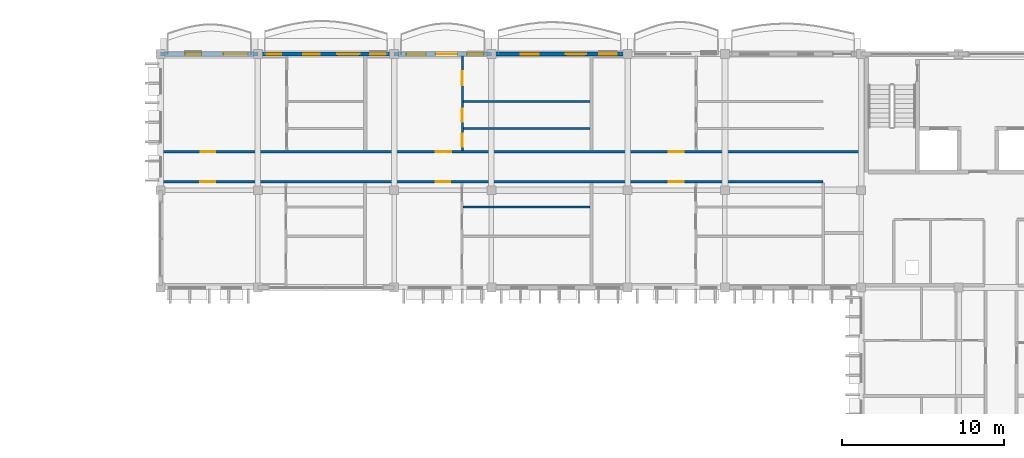
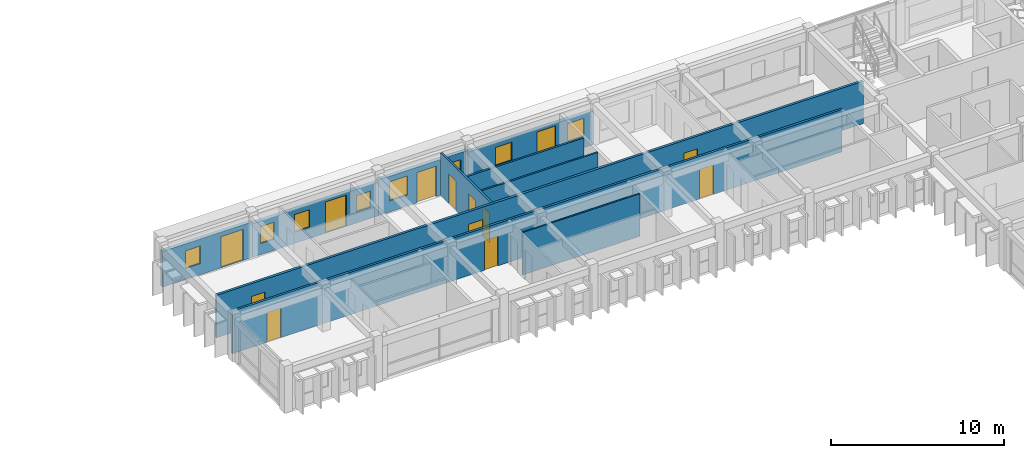
# One storey, part 15 of 31: 13 doors, 10 walls, 8 windows, 21 openings.
"""IFC4 building model written with IfcOpenShell, lengths in metres."""

from ifc_helpers import new_model, si_unit, direction, frame, frame_2d, origin, place, context, subcontext, project, spatial, rectangle, extrude, material, layer, layer_set, type_object, element, fill, save


model = new_model("IFC4")

# Units and contexts
model_context = context("Model", 3, precision=1e-05, world=origin(), true_north=direction((0.0, 1.0)))
body_context = subcontext(model_context, "Body", "Model", "MODEL_VIEW")
ifc_project = project(units=[si_unit("LENGTHUNIT", "METRE"), si_unit("AREAUNIT", "SQUARE_METRE"), si_unit("VOLUMEUNIT", "CUBIC_METRE"), si_unit("PLANEANGLEUNIT", "RADIAN"), si_unit("MASSUNIT", "GRAM", prefix="KILO"), si_unit("THERMODYNAMICTEMPERATUREUNIT", "KELVIN")], contexts=[model_context])

# Site, building, storey
site_placement = place(None, origin())
site = spatial("IfcSite", under=ifc_project, at=site_placement, CompositionType="ELEMENT")
building_placement = place(site_placement, origin())
building = spatial("IfcBuilding", under=site, at=building_placement, Name="Thalorik Housing Commons", CompositionType="ELEMENT")
storey_placement = place(building_placement, frame((0.0, 0.0, 37.800048828125)))
storey = spatial("IfcBuildingStorey", under=building, at=storey_placement, Name="L11", CompositionType="ELEMENT", Elevation=37.800048828125)

# Wall, openings, doors
ifc_material_1 = material(Name="Masonry fire-rated corridor wall", Category="masonry")
ifc_layer_1 = layer(ifc_material_1, 0.14990234375, Name="Masonry fire-rated corridor wall", Category="masonry")
ifc_layer_set_1 = layer_set([ifc_layer_1], Name="Masonry fire-rated corridor wall")
wall_type_1 = type_object("IfcWallType", Name="ARC-WAL-CORR-150", PredefinedType="PARTITIONING", material=ifc_layer_set_1)
wall_1_placement = place(storey_placement, frame((109.324462890625, 115.719970703125, 0.0), z_axis=(0.0, 0.0, 1.0), x_axis=(1.0, 0.0, 0.0)))
wall_1 = element("IfcWall", 1, at=wall_1_placement, inside=storey, type_object=wall_type_1, Name="L11 Block B N Corridor Wall 1", PredefinedType="PARTITIONING", context=body_context, shape_type="SweptSolid", body=[
    extrude(rectangle(XDim=40.7255859375, YDim=0.14990234375, at=frame_2d((20.36279296875, 0.0))), origin(), (0.0, 0.0, 1.0), 3.0),
])
opening_1_placement = place(wall_1_placement, frame((2.322021484375, 0.0, 0.0)))
opening_1 = element("IfcOpeningElement", 2, at=opening_1_placement, cuts=wall_1, Name="Opening ID-1496", PredefinedType="OPENING", context=body_context, shape_type="SweptSolid", body=[
    extrude(rectangle(XDim=0.919921875, YDim=2.10009765625, at=frame_2d((0.4599609375, 1.050048828125))), frame((0.0, 0.0849609375, 0.0), z_axis=(0.0, -1.0, 0.0), x_axis=(1.0, 0.0, 0.0)), (0.0, 0.0, 1.0), 0.169921875),
])
opening_2_placement = place(wall_1_placement, frame((16.831787109375, 0.0, 0.0)))
opening_2 = element("IfcOpeningElement", 3, at=opening_2_placement, cuts=wall_1, Name="Opening ID-1497", PredefinedType="OPENING", context=body_context, shape_type="SweptSolid", body=[
    extrude(rectangle(XDim=0.919921875, YDim=2.10009765625, at=frame_2d((0.4599609375, 1.050048828125))), frame((0.0, 0.0849609375, 0.0), z_axis=(0.0, -1.0, 0.0), x_axis=(1.0, 0.0, 0.0)), (0.0, 0.0, 1.0), 0.169921875),
])
opening_3_placement = place(wall_1_placement, frame((31.20849609375, 0.0, 0.0)))
opening_3 = element("IfcOpeningElement", 4, at=opening_3_placement, cuts=wall_1, Name="Opening ID-1498", PredefinedType="OPENING", context=body_context, shape_type="SweptSolid", body=[
    extrude(rectangle(XDim=0.919921875, YDim=2.10009765625, at=frame_2d((0.4599609375, 1.050048828125))), frame((0.0, 0.0849609375, 0.0), z_axis=(0.0, -1.0, 0.0), x_axis=(1.0, 0.0, 0.0)), (0.0, 0.0, 1.0), 0.169921875),
])
ifc_material_2 = material(Name="Solid core hardwood timber", Category="wood")
door_type_1 = type_object("IfcDoorType", Name="ARC-DR-FD30-920", OperationType="NOTDEFINED", PredefinedType="DOOR", material=ifc_material_2)
door_1_placement = place(opening_1_placement, origin())
door_1 = element("IfcDoor", 5, at=door_1_placement, inside=storey, type_object=door_type_1, Name="L11 Flat BN-1A Entrance Door", OperationType="SINGLE_SWING_LEFT", OverallHeight=2.10009765625, OverallWidth=0.919921875, PredefinedType="DOOR", context=body_context, shape_type="SweptSolid", body=[
    extrude(rectangle(XDim=0.919921875, YDim=2.10009765625, at=frame_2d((0.4599609375, 1.050048828125))), frame((0.0, 0.02490234375, 0.0), z_axis=(0.0, -1.0, 0.0), x_axis=(1.0, 0.0, 0.0)), (0.0, 0.0, 1.0), 0.050048828125),
])
fill(opening_1, door_1)
door_2_placement = place(opening_2_placement, origin())
door_2 = element("IfcDoor", 6, at=door_2_placement, inside=storey, type_object=door_type_1, Name="L11 Flat BN-2A Entrance Door", OperationType="SINGLE_SWING_RIGHT", OverallHeight=2.10009765625, OverallWidth=0.919921875, PredefinedType="DOOR", context=body_context, shape_type="SweptSolid", body=[
    extrude(rectangle(XDim=0.919921875, YDim=2.10009765625, at=frame_2d((0.4599609375, 1.050048828125))), frame((0.0, 0.02490234375, 0.0), z_axis=(0.0, -1.0, 0.0), x_axis=(1.0, 0.0, 0.0)), (0.0, 0.0, 1.0), 0.050048828125),
])
fill(opening_2, door_2)
door_3_placement = place(opening_3_placement, origin())
door_3 = element("IfcDoor", 7, at=door_3_placement, inside=storey, type_object=door_type_1, Name="L11 Flat BN-3A Entrance Door", OperationType="SINGLE_SWING_LEFT", OverallHeight=2.10009765625, OverallWidth=0.919921875, PredefinedType="DOOR", context=body_context, shape_type="SweptSolid", body=[
    extrude(rectangle(XDim=0.919921875, YDim=2.10009765625, at=frame_2d((0.4599609375, 1.050048828125))), frame((0.0, 0.02490234375, 0.0), z_axis=(0.0, -1.0, 0.0), x_axis=(1.0, 0.0, 0.0)), (0.0, 0.0, 1.0), 0.050048828125),
])
fill(opening_3, door_3)

ifc_layer_2 = layer(ifc_material_1, 0.1650390625, Name="Masonry fire-rated corridor wall", Category="masonry")
ifc_layer_set_2 = layer_set([ifc_layer_2], Name="Masonry fire-rated corridor wall")
wall_type_2 = type_object("IfcWallType", Name="ARC-WAL-CORR-165", PredefinedType="PARTITIONING", material=ifc_layer_set_2)
wall_2_placement = place(storey_placement, frame((109.324462890625, 117.580078125, 0.0), z_axis=(0.0, 0.0, 1.0), x_axis=(1.0, 0.0, 0.0)))
wall_2 = element("IfcWall", 8, at=wall_2_placement, inside=storey, type_object=wall_type_2, Name="L11 Block B N Corridor Wall 2", PredefinedType="PARTITIONING", context=body_context, shape_type="SweptSolid", body=[
    extrude(rectangle(XDim=43.215576171875, YDim=0.1650390625, at=frame_2d((21.60791015625, 0.0))), origin(), (0.0, 0.0, 1.0), 3.0),
])
opening_4_placement = place(wall_2_placement, frame((2.338623046875, 0.0, 0.0)))
opening_4 = element("IfcOpeningElement", 9, at=opening_4_placement, cuts=wall_2, Name="Opening ID-1499", PredefinedType="OPENING", context=body_context, shape_type="SweptSolid", body=[
    extrude(rectangle(XDim=0.919921875, YDim=2.10009765625, at=frame_2d((0.4599609375, 1.050048828125))), frame((0.0, 0.092529296875, 0.0), z_axis=(0.0, -1.0, 0.0), x_axis=(1.0, 0.0, 0.0)), (0.0, 0.0, 1.0), 0.18505859375),
])
opening_5_placement = place(wall_2_placement, frame((16.8505859375, 0.0, 0.0)))
opening_5 = element("IfcOpeningElement", 10, at=opening_5_placement, cuts=wall_2, Name="Opening ID-1500", PredefinedType="OPENING", context=body_context, shape_type="SweptSolid", body=[
    extrude(rectangle(XDim=0.9599609375, YDim=2.1201171875, at=frame_2d((0.47998046875, 1.06005859375))), frame((0.0, 0.092529296875, 0.0), z_axis=(0.0, -1.0, 0.0), x_axis=(1.0, 0.0, 0.0)), (0.0, 0.0, 1.0), 0.18505859375),
])
opening_6_placement = place(wall_2_placement, frame((31.2216796875, 0.0, 0.0)))
opening_6 = element("IfcOpeningElement", 11, at=opening_6_placement, cuts=wall_2, Name="Opening ID-1501", PredefinedType="OPENING", context=body_context, shape_type="SweptSolid", body=[
    extrude(rectangle(XDim=0.919921875, YDim=2.10009765625, at=frame_2d((0.4599609375, 1.050048828125))), frame((0.0, 0.092529296875, 0.0), z_axis=(0.0, -1.0, 0.0), x_axis=(1.0, 0.0, 0.0)), (0.0, 0.0, 1.0), 0.18505859375),
])
door_4_placement = place(opening_4_placement, origin())
door_4 = element("IfcDoor", 12, at=door_4_placement, inside=storey, type_object=door_type_1, Name="L11 Flat BN-1B Entrance Door", OperationType="SINGLE_SWING_RIGHT", OverallHeight=2.10009765625, OverallWidth=0.919921875, PredefinedType="DOOR", context=body_context, shape_type="SweptSolid", body=[
    extrude(rectangle(XDim=0.919921875, YDim=2.10009765625, at=frame_2d((0.4599609375, 1.050048828125))), frame((0.0, 0.02490234375, 0.0), z_axis=(0.0, -1.0, 0.0), x_axis=(1.0, 0.0, 0.0)), (0.0, 0.0, 1.0), 0.050048828125),
])
fill(opening_4, door_4)
door_5_placement = place(opening_6_placement, origin())
door_5 = element("IfcDoor", 13, at=door_5_placement, inside=storey, type_object=door_type_1, Name="L11 Flat BN-3B Entrance Door", OperationType="SINGLE_SWING_RIGHT", OverallHeight=2.10009765625, OverallWidth=0.919921875, PredefinedType="DOOR", context=body_context, shape_type="SweptSolid", body=[
    extrude(rectangle(XDim=0.919921875, YDim=2.10009765625, at=frame_2d((0.4599609375, 1.050048828125))), frame((0.0, 0.02490234375, 0.0), z_axis=(0.0, -1.0, 0.0), x_axis=(1.0, 0.0, 0.0)), (0.0, 0.0, 1.0), 0.050048828125),
])
fill(opening_6, door_5)
door_type_2 = type_object("IfcDoorType", Name="ARC-DR-FD30-960", OperationType="NOTDEFINED", PredefinedType="DOOR", material=ifc_material_2)
door_6_placement = place(opening_5_placement, origin())
door_6 = element("IfcDoor", 14, at=door_6_placement, inside=storey, type_object=door_type_2, Name="L11 Flat BN-2B Entrance Door", OperationType="SINGLE_SWING_LEFT", OverallHeight=2.1201171875, OverallWidth=0.9599609375, PredefinedType="DOOR", context=body_context, shape_type="SweptSolid", body=[
    extrude(rectangle(XDim=0.9599609375, YDim=2.1201171875, at=frame_2d((0.47998046875, 1.06005859375))), frame((0.0, 0.02490234375, 0.0), z_axis=(0.0, -1.0, 0.0), x_axis=(1.0, 0.0, 0.0)), (0.0, 0.0, 1.0), 0.050048828125),
])
fill(opening_5, door_6)

# Wall, openings, door, windows
ifc_material_3 = material(Name="White precast concrete C40/50", Category="concrete")
ifc_layer_3 = layer(ifc_material_3, 0.2451171875, Name="White precast concrete C40/50", Category="concrete")
ifc_layer_set_3 = layer_set([ifc_layer_3], Name="White precast concrete C40/50")
wall_type_3 = type_object("IfcWallType", Name="ARC-WAL-EXT-245", PredefinedType="STANDARD", material=ifc_layer_set_3)
wall_3_placement = place(storey_placement, frame((138.0, 123.60009765625, 0.0), z_axis=(0.0, 0.0, 1.0), x_axis=(-1.0, 0.0, 0.0)))
wall_3 = element("IfcWall", 15, at=wall_3_placement, inside=storey, type_object=wall_type_3, Name="L11 Exterior Wall WAL-EXT-L11-B-0775", PredefinedType="STANDARD", context=body_context, shape_type="SweptSolid", body=[
    extrude(rectangle(XDim=8.39990234375, YDim=0.2451171875, at=frame_2d((4.199951171875, 0.0))), origin(), (0.0, 0.0, 1.0), 2.375),
])
opening_7_placement = place(wall_3_placement, frame((2.56005859375, 0.0, 0.0)))
opening_7 = element("IfcOpeningElement", 16, at=opening_7_placement, cuts=wall_3, Name="Opening ED-0265", PredefinedType="OPENING", context=body_context, shape_type="SweptSolid", body=[
    extrude(rectangle(XDim=1.25, YDim=2.199951171875, at=frame_2d((0.625, 1.10009765625))), frame((0.0, 0.132568359375, 0.0), z_axis=(0.0, -1.0, 0.0), x_axis=(1.0, 0.0, 0.0)), (0.0, 0.0, 1.0), 0.26513671875),
])
opening_8_placement = place(wall_3_placement, frame((0.659912109375, 0.0, 0.780029296875)))
opening_8 = element("IfcOpeningElement", 17, at=opening_8_placement, cuts=wall_3, Name="Opening W-03", PredefinedType="OPENING", context=body_context, shape_type="SweptSolid", body=[
    extrude(rectangle(XDim=1.10009765625, YDim=1.300048828125, at=frame_2d((0.550048828125, 0.64990234375))), frame((0.0, 0.132568359375, 0.0), z_axis=(0.0, -1.0, 0.0), x_axis=(1.0, 0.0, 0.0)), (0.0, 0.0, 1.0), 0.26513671875),
])
opening_9_placement = place(wall_3_placement, frame((5.485107421875, 0.0, 0.780029296875)))
opening_9 = element("IfcOpeningElement", 18, at=opening_9_placement, cuts=wall_3, Name="Opening W-03", PredefinedType="OPENING", context=body_context, shape_type="SweptSolid", body=[
    extrude(rectangle(XDim=1.10009765625, YDim=1.300048828125, at=frame_2d((0.550048828125, 0.64990234375))), frame((0.0, 0.132568359375, 0.0), z_axis=(0.0, -1.0, 0.0), x_axis=(1.0, 0.0, 0.0)), (0.0, 0.0, 1.0), 0.26513671875),
])
ifc_material_4 = material(Name="Anodised aluminium and laminated safety glass", Category="aluminium")
door_type_3 = type_object("IfcDoorType", Name="ARC-DR-BAL-1250", OperationType="NOTDEFINED", PredefinedType="DOOR", material=ifc_material_4)
door_7_placement = place(opening_7_placement, frame((1.25, 0.0, 0.0), z_axis=(0.0, 0.0, 1.0), x_axis=(-1.0, 0.0, 0.0)))
door_7 = element("IfcDoor", 19, at=door_7_placement, inside=storey, type_object=door_type_3, Name="L11 Block B Balcony Glazed Door", OperationType="SINGLE_SWING_RIGHT", OverallHeight=2.199951171875, OverallWidth=1.25, PredefinedType="DOOR", context=body_context, shape_type="SweptSolid", body=[
    extrude(rectangle(XDim=1.25, YDim=2.199951171875, at=frame_2d((0.625, 1.10009765625))), frame((0.0, 0.02490234375, 0.0), z_axis=(0.0, -1.0, 0.0), x_axis=(1.0, 0.0, 0.0)), (0.0, 0.0, 1.0), 0.050048828125),
])
fill(opening_7, door_7)
ifc_material_5 = material(Name="Anodised aluminium and solar-control low-E glass", Category="aluminium")
window_type_1 = type_object("IfcWindowType", Name="ARC-WIN-03", PartitioningType="SINGLE_PANEL", PredefinedType="WINDOW", material=ifc_material_5)
window_1_placement = place(opening_8_placement, origin())
window_1 = element("IfcWindow", 20, at=window_1_placement, inside=storey, type_object=window_type_1, Name="L11 Facade Window 1427", OverallHeight=1.300048828125, OverallWidth=1.10009765625, PartitioningType="SINGLE_PANEL", PredefinedType="WINDOW", context=body_context, shape_type="SweptSolid", body=[
    extrude(rectangle(XDim=1.10009765625, YDim=1.300048828125, at=frame_2d((0.550048828125, 0.64990234375))), frame((0.0, 0.030029296875, 0.0), z_axis=(0.0, -1.0, 0.0), x_axis=(1.0, 0.0, 0.0)), (0.0, 0.0, 1.0), 0.06005859375),
])
fill(opening_8, window_1)
window_2_placement = place(opening_9_placement, origin())
window_2 = element("IfcWindow", 21, at=window_2_placement, inside=storey, type_object=window_type_1, Name="L11 Facade Window 1428", OverallHeight=1.300048828125, OverallWidth=1.10009765625, PartitioningType="SINGLE_PANEL", PredefinedType="WINDOW", context=body_context, shape_type="SweptSolid", body=[
    extrude(rectangle(XDim=1.10009765625, YDim=1.300048828125, at=frame_2d((0.550048828125, 0.64990234375))), frame((0.0, 0.030029296875, 0.0), z_axis=(0.0, -1.0, 0.0), x_axis=(1.0, 0.0, 0.0)), (0.0, 0.0, 1.0), 0.06005859375),
])
fill(opening_9, window_2)

wall_4_placement = place(storey_placement, frame((129.60009765625, 123.60009765625, 0.0), z_axis=(0.0, 0.0, 1.0), x_axis=(-1.0, 0.0, 0.0)))
wall_4 = element("IfcWall", 22, at=wall_4_placement, inside=storey, type_object=wall_type_3, Name="L11 Exterior Wall WAL-EXT-L11-B-0776", PredefinedType="STANDARD", context=body_context, shape_type="SweptSolid", body=[
    extrude(rectangle(XDim=6.0, YDim=0.2451171875, at=frame_2d((3.0, 0.0))), origin(), (0.0, 0.0, 1.0), 2.52490234375),
])
opening_10_placement = place(wall_4_placement, frame((2.119140625, 0.0, 0.0)))
opening_10 = element("IfcOpeningElement", 23, at=opening_10_placement, cuts=wall_4, Name="Opening ED-0266", PredefinedType="OPENING", context=body_context, shape_type="SweptSolid", body=[
    extrude(rectangle(XDim=1.300048828125, YDim=2.14990234375, at=frame_2d((0.64990234375, 1.074951171875))), frame((0.0, 0.132568359375, 0.0), z_axis=(0.0, -1.0, 0.0), x_axis=(1.0, 0.0, 0.0)), (0.0, 0.0, 1.0), 0.26513671875),
])
opening_11_placement = place(wall_4_placement, frame((0.489501953125, 0.0, 0.780029296875)))
opening_11 = element("IfcOpeningElement", 24, at=opening_11_placement, cuts=wall_4, Name="Opening W-02", PredefinedType="OPENING", context=body_context, shape_type="SweptSolid", body=[
    extrude(rectangle(XDim=1.0, YDim=1.25, at=frame_2d((0.5, 0.625))), frame((0.0, 0.132568359375, 0.0), z_axis=(0.0, -1.0, 0.0), x_axis=(1.0, 0.0, 0.0)), (0.0, 0.0, 1.0), 0.26513671875),
])
opening_12_placement = place(wall_4_placement, frame((4.03955078125, 0.0, 0.780029296875)))
opening_12 = element("IfcOpeningElement", 25, at=opening_12_placement, cuts=wall_4, Name="Opening W-04", PredefinedType="OPENING", context=body_context, shape_type="SweptSolid", body=[
    extrude(rectangle(XDim=1.199951171875, YDim=1.35009765625, at=frame_2d((0.60009765625, 0.675048828125))), frame((0.0, 0.132568359375, 0.0), z_axis=(0.0, -1.0, 0.0), x_axis=(1.0, 0.0, 0.0)), (0.0, 0.0, 1.0), 0.26513671875),
])
door_type_4 = type_object("IfcDoorType", Name="ARC-DR-BAL-1300", OperationType="NOTDEFINED", PredefinedType="DOOR", material=ifc_material_4)
door_8_placement = place(opening_10_placement, frame((1.300048828125, 0.0, 0.0), z_axis=(0.0, 0.0, 1.0), x_axis=(-1.0, 0.0, 0.0)))
door_8 = element("IfcDoor", 26, at=door_8_placement, inside=storey, type_object=door_type_4, Name="L11 Block B Balcony Glazed Door", OperationType="SINGLE_SWING_LEFT", OverallHeight=2.14990234375, OverallWidth=1.300048828125, PredefinedType="DOOR", context=body_context, shape_type="SweptSolid", body=[
    extrude(rectangle(XDim=1.300048828125, YDim=2.14990234375, at=frame_2d((0.64990234375, 1.074951171875))), frame((0.0, 0.02490234375, 0.0), z_axis=(0.0, -1.0, 0.0), x_axis=(1.0, 0.0, 0.0)), (0.0, 0.0, 1.0), 0.050048828125),
])
fill(opening_10, door_8)
window_type_2 = type_object("IfcWindowType", Name="ARC-WIN-02", PartitioningType="SINGLE_PANEL", PredefinedType="WINDOW", material=ifc_material_5)
window_3_placement = place(opening_11_placement, origin())
window_3 = element("IfcWindow", 27, at=window_3_placement, inside=storey, type_object=window_type_2, Name="L11 Facade Window 1429", OverallHeight=1.25, OverallWidth=1.0, PartitioningType="SINGLE_PANEL", PredefinedType="WINDOW", context=body_context, shape_type="SweptSolid", body=[
    extrude(rectangle(XDim=1.0, YDim=1.25, at=frame_2d((0.5, 0.625))), frame((0.0, 0.030029296875, 0.0), z_axis=(0.0, -1.0, 0.0), x_axis=(1.0, 0.0, 0.0)), (0.0, 0.0, 1.0), 0.06005859375),
])
fill(opening_11, window_3)
window_type_3 = type_object("IfcWindowType", Name="ARC-WIN-04", PartitioningType="SINGLE_PANEL", PredefinedType="WINDOW", material=ifc_material_5)
window_4_placement = place(opening_12_placement, origin())
window_4 = element("IfcWindow", 28, at=window_4_placement, inside=storey, type_object=window_type_3, Name="L11 Facade Window 1430", OverallHeight=1.35009765625, OverallWidth=1.199951171875, PartitioningType="SINGLE_PANEL", PredefinedType="WINDOW", context=body_context, shape_type="SweptSolid", body=[
    extrude(rectangle(XDim=1.199951171875, YDim=1.35009765625, at=frame_2d((0.60009765625, 0.675048828125))), frame((0.0, 0.030029296875, 0.0), z_axis=(0.0, -1.0, 0.0), x_axis=(1.0, 0.0, 0.0)), (0.0, 0.0, 1.0), 0.06005859375),
])
fill(opening_12, window_4)

wall_5_placement = place(storey_placement, frame((123.60009765625, 123.60009765625, 0.0), z_axis=(0.0, 0.0, 1.0), x_axis=(-1.0, 0.0, 0.0)))
wall_5 = element("IfcWall", 29, at=wall_5_placement, inside=storey, type_object=wall_type_3, Name="L11 Exterior Wall WAL-EXT-L11-B-0777", PredefinedType="STANDARD", context=body_context, shape_type="SweptSolid", body=[
    extrude(rectangle(XDim=8.400146484375, YDim=0.2451171875, at=frame_2d((4.2001953125, 0.0))), origin(), (0.0, 0.0, 1.0), 2.375),
])
opening_13_placement = place(wall_5_placement, frame((2.1201171875, 0.0, 0.0)))
opening_13 = element("IfcOpeningElement", 30, at=opening_13_placement, cuts=wall_5, Name="Opening ED-0267", PredefinedType="OPENING", context=body_context, shape_type="SweptSolid", body=[
    extrude(rectangle(XDim=1.39990234375, YDim=2.199951171875, at=frame_2d((0.699951171875, 1.10009765625))), frame((0.0, 0.132568359375, 0.0), z_axis=(0.0, -1.0, 0.0), x_axis=(1.0, 0.0, 0.0)), (0.0, 0.0, 1.0), 0.26513671875),
])
opening_14_placement = place(wall_5_placement, frame((0.514892578125, 0.0, 0.780029296875)))
opening_14 = element("IfcOpeningElement", 31, at=opening_14_placement, cuts=wall_5, Name="Opening W-43", PredefinedType="OPENING", context=body_context, shape_type="SweptSolid", body=[
    extrude(rectangle(XDim=0.949951171875, YDim=1.14990234375, at=frame_2d((0.47509765625, 0.574951171875))), frame((0.0, 0.132568359375, 0.0), z_axis=(0.0, -1.0, 0.0), x_axis=(1.0, 0.0, 0.0)), (0.0, 0.0, 1.0), 0.26513671875),
])
opening_15_placement = place(wall_5_placement, frame((4.593017578125, 0.0, 0.780029296875)))
opening_15 = element("IfcOpeningElement", 32, at=opening_15_placement, cuts=wall_5, Name="Opening W-02", PredefinedType="OPENING", context=body_context, shape_type="SweptSolid", body=[
    extrude(rectangle(XDim=1.0, YDim=1.25, at=frame_2d((0.5, 0.625))), frame((0.0, 0.132568359375, 0.0), z_axis=(0.0, -1.0, 0.0), x_axis=(1.0, 0.0, 0.0)), (0.0, 0.0, 1.0), 0.26513671875),
])
opening_16_placement = place(wall_5_placement, frame((6.962890625, 0.0, 0.780029296875)))
opening_16 = element("IfcOpeningElement", 33, at=opening_16_placement, cuts=wall_5, Name="Opening W-01", PredefinedType="OPENING", context=body_context, shape_type="SweptSolid", body=[
    extrude(rectangle(XDim=0.89990234375, YDim=1.199951171875, at=frame_2d((0.449951171875, 0.60009765625))), frame((0.0, 0.132568359375, 0.0), z_axis=(0.0, -1.0, 0.0), x_axis=(1.0, 0.0, 0.0)), (0.0, 0.0, 1.0), 0.26513671875),
])
door_type_5 = type_object("IfcDoorType", Name="ARC-DR-BAL-1400", OperationType="NOTDEFINED", PredefinedType="DOOR", material=ifc_material_4)
door_9_placement = place(opening_13_placement, frame((1.39990234375, 0.0, 0.0), z_axis=(0.0, 0.0, 1.0), x_axis=(-1.0, 0.0, 0.0)))
door_9 = element("IfcDoor", 34, at=door_9_placement, inside=storey, type_object=door_type_5, Name="L11 Block B Balcony Glazed Door", OperationType="SLIDING_TO_LEFT", OverallHeight=2.199951171875, OverallWidth=1.39990234375, PredefinedType="DOOR", context=body_context, shape_type="SweptSolid", body=[
    extrude(rectangle(XDim=1.39990234375, YDim=2.199951171875, at=frame_2d((0.699951171875, 1.10009765625))), frame((0.0, 0.02490234375, 0.0), z_axis=(0.0, -1.0, 0.0), x_axis=(1.0, 0.0, 0.0)), (0.0, 0.0, 1.0), 0.050048828125),
])
fill(opening_13, door_9)
window_type_4 = type_object("IfcWindowType", Name="ARC-WIN-01", PartitioningType="SINGLE_PANEL", PredefinedType="WINDOW", material=ifc_material_5)
window_5_placement = place(opening_16_placement, origin())
window_5 = element("IfcWindow", 35, at=window_5_placement, inside=storey, type_object=window_type_4, Name="L11 Facade Window 1433", OverallHeight=1.199951171875, OverallWidth=0.89990234375, PartitioningType="SINGLE_PANEL", PredefinedType="WINDOW", context=body_context, shape_type="SweptSolid", body=[
    extrude(rectangle(XDim=0.89990234375, YDim=1.199951171875, at=frame_2d((0.449951171875, 0.60009765625))), frame((0.0, 0.030029296875, 0.0), z_axis=(0.0, -1.0, 0.0), x_axis=(1.0, 0.0, 0.0)), (0.0, 0.0, 1.0), 0.06005859375),
])
fill(opening_16, window_5)
window_6_placement = place(opening_15_placement, origin())
window_6 = element("IfcWindow", 36, at=window_6_placement, inside=storey, type_object=window_type_2, Name="L11 Facade Window 1432", OverallHeight=1.25, OverallWidth=1.0, PartitioningType="SINGLE_PANEL", PredefinedType="WINDOW", context=body_context, shape_type="SweptSolid", body=[
    extrude(rectangle(XDim=1.0, YDim=1.25, at=frame_2d((0.5, 0.625))), frame((0.0, 0.030029296875, 0.0), z_axis=(0.0, -1.0, 0.0), x_axis=(1.0, 0.0, 0.0)), (0.0, 0.0, 1.0), 0.06005859375),
])
fill(opening_15, window_6)
window_type_5 = type_object("IfcWindowType", Name="ARC-WIN-43", PartitioningType="SINGLE_PANEL", PredefinedType="WINDOW", material=ifc_material_5)
window_7_placement = place(opening_14_placement, origin())
window_7 = element("IfcWindow", 37, at=window_7_placement, inside=storey, type_object=window_type_5, Name="L11 Facade Window 1431", OverallHeight=1.14990234375, OverallWidth=0.949951171875, PartitioningType="SINGLE_PANEL", PredefinedType="WINDOW", context=body_context, shape_type="SweptSolid", body=[
    extrude(rectangle(XDim=0.949951171875, YDim=1.14990234375, at=frame_2d((0.47509765625, 0.574951171875))), frame((0.0, 0.030029296875, 0.0), z_axis=(0.0, -1.0, 0.0), x_axis=(1.0, 0.0, 0.0)), (0.0, 0.0, 1.0), 0.06005859375),
])
fill(opening_14, window_7)

# Wall, openings, door, window
wall_6_placement = place(storey_placement, frame((115.199951171875, 123.60009765625, 0.0), z_axis=(0.0, 0.0, 1.0), x_axis=(-1.0, 0.0, 0.0)))
wall_6 = element("IfcWall", 38, at=wall_6_placement, inside=storey, type_object=wall_type_3, Name="L11 Exterior Wall WAL-EXT-L11-B-0778", PredefinedType="STANDARD", context=body_context, shape_type="SweptSolid", body=[
    extrude(rectangle(XDim=6.0, YDim=0.2451171875, at=frame_2d((3.0, 0.0))), origin(), (0.0, 0.0, 1.0), 2.52490234375),
])
opening_17_placement = place(wall_6_placement, frame((0.6201171875, 0.0, 0.0)))
opening_17 = element("IfcOpeningElement", 39, at=opening_17_placement, cuts=wall_6, Name="Opening ED-0268", PredefinedType="OPENING", context=body_context, shape_type="SweptSolid", body=[
    extrude(rectangle(XDim=1.5, YDim=2.199951171875, at=frame_2d((0.75, 1.10009765625))), frame((0.0, 0.132568359375, 0.0), z_axis=(0.0, -1.0, 0.0), x_axis=(1.0, 0.0, 0.0)), (0.0, 0.0, 1.0), 0.26513671875),
])
opening_18_placement = place(wall_6_placement, frame((3.489990234375, 0.0, 0.780029296875)))
opening_18 = element("IfcOpeningElement", 40, at=opening_18_placement, cuts=wall_6, Name="Opening W-02", PredefinedType="OPENING", context=body_context, shape_type="SweptSolid", body=[
    extrude(rectangle(XDim=1.0, YDim=1.25, at=frame_2d((0.5, 0.625))), frame((0.0, 0.132568359375, 0.0), z_axis=(0.0, -1.0, 0.0), x_axis=(1.0, 0.0, 0.0)), (0.0, 0.0, 1.0), 0.26513671875),
])
door_type_6 = type_object("IfcDoorType", Name="ARC-DR-BAL-1500", OperationType="NOTDEFINED", PredefinedType="DOOR", material=ifc_material_4)
door_10_placement = place(opening_17_placement, frame((1.5, 0.0, 0.0), z_axis=(0.0, 0.0, 1.0), x_axis=(-1.0, 0.0, 0.0)))
door_10 = element("IfcDoor", 41, at=door_10_placement, inside=storey, type_object=door_type_6, Name="L11 Block B Balcony Glazed Door", OperationType="SLIDING_TO_RIGHT", OverallHeight=2.199951171875, OverallWidth=1.5, PredefinedType="DOOR", context=body_context, shape_type="SweptSolid", body=[
    extrude(rectangle(XDim=1.5, YDim=2.199951171875, at=frame_2d((0.75, 1.10009765625))), frame((0.0, 0.02490234375, 0.0), z_axis=(0.0, -1.0, 0.0), x_axis=(1.0, 0.0, 0.0)), (0.0, 0.0, 1.0), 0.050048828125),
])
fill(opening_17, door_10)
window_8_placement = place(opening_18_placement, origin())
window_8 = element("IfcWindow", 42, at=window_8_placement, inside=storey, type_object=window_type_2, Name="L11 Facade Window 1434", OverallHeight=1.25, OverallWidth=1.0, PartitioningType="SINGLE_PANEL", PredefinedType="WINDOW", context=body_context, shape_type="SweptSolid", body=[
    extrude(rectangle(XDim=1.0, YDim=1.25, at=frame_2d((0.5, 0.625))), frame((0.0, 0.030029296875, 0.0), z_axis=(0.0, -1.0, 0.0), x_axis=(1.0, 0.0, 0.0)), (0.0, 0.0, 1.0), 0.06005859375),
])
fill(opening_18, window_8)

# Walls
ifc_material_6 = material(Name="Gypsum light stud partition", Category="masonry")
ifc_layer_4 = layer(ifc_material_6, 0.10009765625, Name="Gypsum light stud partition", Category="masonry")
ifc_layer_set_4 = layer_set([ifc_layer_4], Name="Gypsum light stud partition")
wall_type_4 = type_object("IfcWallType", Name="ARC-WAL-PART-100", PredefinedType="PARTITIONING", material=ifc_layer_set_4)
wall_7_placement = place(storey_placement, frame((127.8544921875, 114.169677734375, 0.0), z_axis=(0.0, 0.0, 1.0), x_axis=(1.0, 0.0, 0.0)))
element("IfcWall", 43, at=wall_7_placement, inside=storey, type_object=wall_type_4, Name="L11 Unit 2 Wet Wall", PredefinedType="PARTITIONING", context=body_context, shape_type="SweptSolid", body=[
    extrude(rectangle(XDim=7.821044921875, YDim=0.10009765625, at=frame_2d((3.91064453125, 0.0))), origin(), (0.0, 0.0, 1.0), 3.0),
])
ifc_material_7 = material(Name="Gypsum moisture-resistant partition", Category="masonry")
ifc_layer_5 = layer(ifc_material_7, 0.114990234375, Name="Gypsum moisture-resistant partition", Category="masonry")
ifc_layer_set_5 = layer_set([ifc_layer_5], Name="Gypsum moisture-resistant partition")
wall_type_5 = type_object("IfcWallType", Name="ARC-WAL-PART-115", PredefinedType="PARTITIONING", material=ifc_layer_set_5)
wall_8_placement = place(storey_placement, frame((127.8828125, 119.010498046875, 0.0), z_axis=(0.0, 0.0, 1.0), x_axis=(1.0, 0.0, 0.0)))
element("IfcWall", 44, at=wall_8_placement, inside=storey, type_object=wall_type_5, Name="L11 Unit 2B Wet Wall", PredefinedType="PARTITIONING", context=body_context, shape_type="SweptSolid", body=[
    extrude(rectangle(XDim=7.78515625, YDim=0.114990234375, at=frame_2d((3.892578125, 0.0))), origin(), (0.0, 0.0, 1.0), 3.0),
])
ifc_material_8 = material(Name="Gypsum acoustic stud partition", Category="masonry")
ifc_layer_6 = layer(ifc_material_8, 0.125, Name="Gypsum acoustic stud partition", Category="masonry")
ifc_layer_set_6 = layer_set([ifc_layer_6], Name="Gypsum acoustic stud partition")
wall_type_6 = type_object("IfcWallType", Name="ARC-WAL-PART-125", PredefinedType="PARTITIONING", material=ifc_layer_set_6)
wall_9_placement = place(storey_placement, frame((127.8828125, 120.67919921875, 0.0), z_axis=(0.0, 0.0, 1.0), x_axis=(1.0, 0.0, 0.0)))
element("IfcWall", 45, at=wall_9_placement, inside=storey, type_object=wall_type_6, Name="L11 Unit 2B Bedroom Partition", PredefinedType="PARTITIONING", context=body_context, shape_type="SweptSolid", body=[
    extrude(rectangle(XDim=7.78515625, YDim=0.125, at=frame_2d((3.892578125, 0.0))), origin(), (0.0, 0.0, 1.0), 3.0),
])

# Wall, openings, doors
ifc_material_9 = material(Name="Ceramic masonry partition wall", Category="masonry")
ifc_layer_7 = layer(ifc_material_9, 0.139892578125, Name="Ceramic masonry partition wall", Category="masonry")
ifc_layer_set_7 = layer_set([ifc_layer_7], Name="Ceramic masonry partition wall")
wall_type_7 = type_object("IfcWallType", Name="ARC-WAL-PART-140", PredefinedType="PARTITIONING", material=ifc_layer_set_7)
wall_10_placement = place(storey_placement, frame((127.810791015625, 117.66455078125, 0.0), z_axis=(0.0, 0.0, 1.0), x_axis=(0.0, 1.0, 0.0)))
wall_10 = element("IfcWall", 46, at=wall_10_placement, inside=storey, type_object=wall_type_7, Name="L11 Unit 2B Spine Partition", PredefinedType="PARTITIONING", context=body_context, shape_type="SweptSolid", body=[
    extrude(rectangle(XDim=5.81103515625, YDim=0.139892578125, at=frame_2d((2.905517578125, 0.0))), origin(), (0.0, 0.0, 1.0), 3.0),
])
opening_19_placement = place(wall_10_placement, frame((0.230712890625, 0.0, 0.0)))
opening_19 = element("IfcOpeningElement", 47, at=opening_19_placement, cuts=wall_10, Name="Opening ID-1487", PredefinedType="OPENING", context=body_context, shape_type="SweptSolid", body=[
    extrude(rectangle(XDim=0.800048828125, YDim=2.10009765625, at=frame_2d((0.39990234375, 1.050048828125))), frame((0.0, 0.080078125, 0.0), z_axis=(0.0, -1.0, 0.0), x_axis=(1.0, 0.0, 0.0)), (0.0, 0.0, 1.0), 0.159912109375),
])
opening_20_placement = place(wall_10_placement, frame((1.75537109375, 0.0, 0.0)))
opening_20 = element("IfcOpeningElement", 48, at=opening_20_placement, cuts=wall_10, Name="Opening ID-1488", PredefinedType="OPENING", context=body_context, shape_type="SweptSolid", body=[
    extrude(rectangle(XDim=0.820068359375, YDim=2.080078125, at=frame_2d((0.41015625, 1.0400390625))), frame((0.0, 0.080078125, 0.0), z_axis=(0.0, -1.0, 0.0), x_axis=(1.0, 0.0, 0.0)), (0.0, 0.0, 1.0), 0.159912109375),
])
opening_21_placement = place(wall_10_placement, frame((4.02001953125, 0.0, 0.0)))
opening_21 = element("IfcOpeningElement", 49, at=opening_21_placement, cuts=wall_10, Name="Opening ID-1489", PredefinedType="OPENING", context=body_context, shape_type="SweptSolid", body=[
    extrude(rectangle(XDim=0.85009765625, YDim=2.10009765625, at=frame_2d((0.425048828125, 1.050048828125))), frame((0.0, 0.080078125, 0.0), z_axis=(0.0, -1.0, 0.0), x_axis=(1.0, 0.0, 0.0)), (0.0, 0.0, 1.0), 0.159912109375),
])
ifc_material_10 = material(Name="Moisture-resistant timber", Category="wood")
door_type_7 = type_object("IfcDoorType", Name="ARC-DR-INT-800", OperationType="NOTDEFINED", PredefinedType="DOOR", material=ifc_material_10)
door_11_placement = place(opening_19_placement, origin())
door_11 = element("IfcDoor", 50, at=door_11_placement, inside=storey, type_object=door_type_7, Name="L11 Flat Bathroom Door", OperationType="SINGLE_SWING_RIGHT", OverallHeight=2.10009765625, OverallWidth=0.800048828125, PredefinedType="DOOR", context=body_context, shape_type="SweptSolid", body=[
    extrude(rectangle(XDim=0.800048828125, YDim=2.10009765625, at=frame_2d((0.39990234375, 1.050048828125))), frame((0.0, 0.02490234375, 0.0), z_axis=(0.0, -1.0, 0.0), x_axis=(1.0, 0.0, 0.0)), (0.0, 0.0, 1.0), 0.050048828125),
])
fill(opening_19, door_11)
ifc_material_11 = material(Name="Engineered oak timber", Category="wood")
door_type_8 = type_object("IfcDoorType", Name="ARC-DR-INT-820", OperationType="NOTDEFINED", PredefinedType="DOOR", material=ifc_material_11)
door_12_placement = place(opening_20_placement, origin())
door_12 = element("IfcDoor", 51, at=door_12_placement, inside=storey, type_object=door_type_8, Name="L11 Galley Kitchen Door", OperationType="SINGLE_SWING_LEFT", OverallHeight=2.080078125, OverallWidth=0.820068359375, PredefinedType="DOOR", context=body_context, shape_type="SweptSolid", body=[
    extrude(rectangle(XDim=0.820068359375, YDim=2.080078125, at=frame_2d((0.41015625, 1.0400390625))), frame((0.0, 0.02490234375, 0.0), z_axis=(0.0, -1.0, 0.0), x_axis=(1.0, 0.0, 0.0)), (0.0, 0.0, 1.0), 0.050048828125),
])
fill(opening_20, door_12)
door_type_9 = type_object("IfcDoorType", Name="ARC-DR-INT-850", OperationType="NOTDEFINED", PredefinedType="DOOR", material=ifc_material_11)
door_13_placement = place(opening_21_placement, origin())
door_13 = element("IfcDoor", 52, at=door_13_placement, inside=storey, type_object=door_type_9, Name="L11 Single Bedroom Door", OperationType="SINGLE_SWING_RIGHT", OverallHeight=2.10009765625, OverallWidth=0.85009765625, PredefinedType="DOOR", context=body_context, shape_type="SweptSolid", body=[
    extrude(rectangle(XDim=0.85009765625, YDim=2.10009765625, at=frame_2d((0.425048828125, 1.050048828125))), frame((0.0, 0.02490234375, 0.0), z_axis=(0.0, -1.0, 0.0), x_axis=(1.0, 0.0, 0.0)), (0.0, 0.0, 1.0), 0.050048828125),
])
fill(opening_21, door_13)

save(model, "model.ifc")
